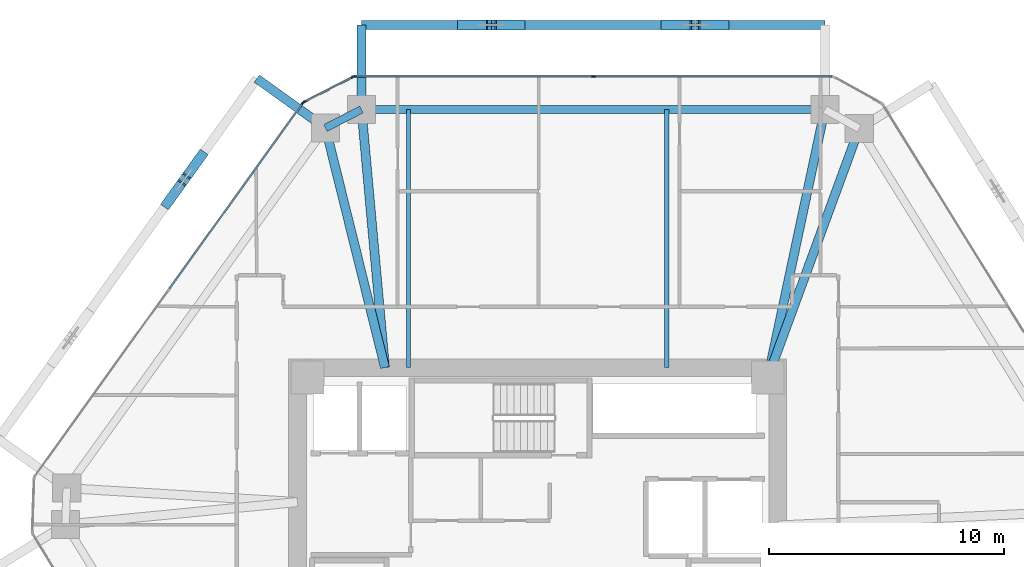
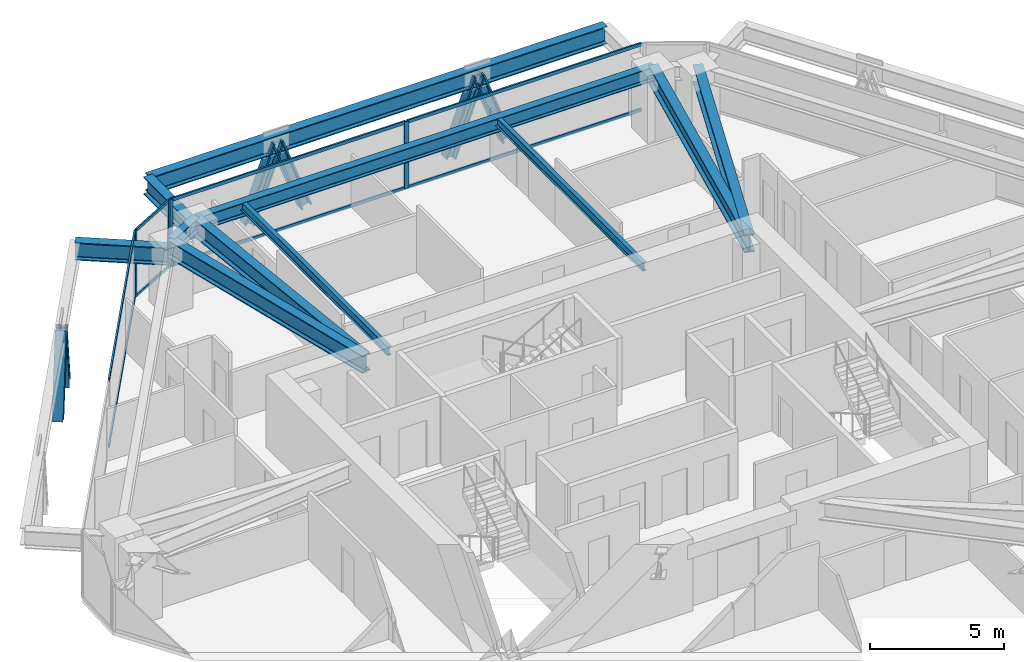
# One storey, part 7 of 16: 19 members, 11 beams, 3 elements without a shape of their own.
"""IFC4 building model written with IfcOpenShell, lengths in metres."""

from ifc_helpers import new_model, si_unit, direction, frame, origin, origin_2d, place, context, subcontext, project, spatial, rectangle, i_section, extrude, source, transform, mapped, material, layer, layer_set, material_profile, profile_set, type_object, type_shapes, element, aggregate, save


model = new_model("IFC4")

# Units and contexts
model_context = context("Model", 3, precision=1e-05, world=origin(), true_north=direction((0.0, 1.0)))
body_context = subcontext(model_context, "Body", "Model", "MODEL_VIEW")
ifc_project = project(units=[si_unit("LENGTHUNIT", "METRE"), si_unit("AREAUNIT", "SQUARE_METRE"), si_unit("VOLUMEUNIT", "CUBIC_METRE"), si_unit("PLANEANGLEUNIT", "RADIAN"), si_unit("MASSUNIT", "GRAM", prefix="KILO")], contexts=[model_context])

# Site, building, storey
site_placement = place(None, origin())
site = spatial("IfcSite", under=ifc_project, at=site_placement, CompositionType="ELEMENT")
building_placement = place(site_placement, origin())
building = spatial("IfcBuilding", under=site, at=building_placement, Name="Durnholm Broadcast Tower", CompositionType="ELEMENT")
storey_placement = place(building_placement, frame((0.0, 0.0, 117.300048828125)))
storey = spatial("IfcBuildingStorey", under=building, at=storey_placement, Name="L31", CompositionType="ELEMENT", Elevation=117.300048828125)

# Beams
ifc_material_1 = material(Name="Steel ASTM A992 Grade 50", Category="steel")
ifc_material_profile_1 = material_profile(ifc_material_1, i_section(OverallWidth=0.385009765625, OverallDepth=0.802978515625, WebThickness=0.023681640625, FlangeThickness=0.0419921875, FilletRadius=0.032958984375, at=origin_2d()), Name="W30X261")
ifc_profile_set_1 = profile_set([ifc_material_profile_1], Name="Steel ASTM A992 Grade 50")
beam_type_1 = type_object("IfcBeamType", Name="BM-EXO-TIE", PredefinedType="USERDEFINED", material=ifc_profile_set_1)
shared_shape_1 = source(origin(), body_context, "Body", "SweptSolid", [
    extrude(i_section(OverallWidth=0.385009765625, OverallDepth=0.802978515625, WebThickness=0.023681640625, FlangeThickness=0.0419921875, FilletRadius=0.032958984375, at=origin_2d()), origin(), (0.0, 0.0, 1.0), 3.4560546875),
])
beam_1_placement = place(storey_placement, frame((-7.498046875, 19.35888671875, 2.30859375), z_axis=(0.0, 1.0, 0.0), x_axis=(-1.0, 0.0, 0.0)))
element("IfcBeam", 1, at=beam_1_placement, inside=storey, type_object=beam_type_1, Name="L31 exoskeleton stand-off tie bracket F4.2", ObjectType="GIRDER", PredefinedType="USERDEFINED", context=body_context, shape_type="MappedRepresentation", body=[
    mapped(shared_shape_1, transform((0.0, 0.0, 0.0), x_axis=(1.0, 0.0, 0.0), y_axis=(0.0, 1.0, 0.0), z_axis=(0.0, 0.0, 1.0), scale=1.0)),
])
ifc_material_profile_2 = material_profile(ifc_material_1, i_section(OverallWidth=0.3291015625, OverallDepth=0.635009765625, WebThickness=0.017822265625, FlangeThickness=0.031005859375, FilletRadius=0.02783203125, at=origin_2d()), Name="W24X162")
ifc_profile_set_2 = profile_set([ifc_material_profile_2], Name="Steel ASTM A992 Grade 50")
beam_type_2 = type_object("IfcBeamType", Name="STL-SP-W24X162", PredefinedType="SPANDREL", material=ifc_profile_set_2)
shared_shape_2 = source(origin(), body_context, "Body", "SweptSolid", [
    extrude(i_section(OverallWidth=0.3291015625, OverallDepth=0.635009765625, WebThickness=0.017822265625, FlangeThickness=0.031005859375, FilletRadius=0.02783203125, at=origin_2d()), origin(), (0.0, 0.0, 1.0), 1.723876953125),
])
beam_2_placement = place(storey_placement, frame((-9.031982421875, 18.42822265625, 2.7275390625), z_axis=(0.889762904339, 0.456423020959, 0.0), x_axis=(-0.456423020959, 0.889762904339, 0.0)))
element("IfcBeam", 2, at=beam_2_placement, inside=storey, type_object=beam_type_2, Name="L31 perimeter spandrel girder 04", PredefinedType="SPANDREL", context=body_context, shape_type="MappedRepresentation", body=[
    mapped(shared_shape_2, transform((0.0, 0.0, 0.0), x_axis=(1.0, 0.0, 0.0), y_axis=(0.0, 1.0, 0.0), z_axis=(0.0, 0.0, 1.0), scale=1.0)),
])
shared_shape_3 = source(origin(), body_context, "Body", "SweptSolid", [
    extrude(i_section(OverallWidth=0.3291015625, OverallDepth=0.635009765625, WebThickness=0.017822265625, FlangeThickness=0.031005859375, FilletRadius=0.02783203125, at=origin_2d()), origin(), (0.0, 0.0, 1.0), 19.72802734375),
])
type_shapes(beam_type_2, [shared_shape_2, shared_shape_3])
beam_3_placement = place(storey_placement, frame((-7.498046875, 19.215087890625, 2.7275390625), z_axis=(1.0, 0.0, 0.0), x_axis=(0.0, 1.0, 0.0)))
element("IfcBeam", 3, at=beam_3_placement, inside=storey, type_object=beam_type_2, Name="L31 perimeter spandrel girder 05", PredefinedType="SPANDREL", context=body_context, shape_type="MappedRepresentation", body=[
    mapped(shared_shape_3, transform((0.0, 0.0, 0.0), x_axis=(1.0, 0.0, 0.0), y_axis=(0.0, 1.0, 0.0), z_axis=(0.0, 0.0, 1.0), scale=1.0)),
])
ifc_material_profile_3 = material_profile(ifc_material_1, i_section(OverallWidth=0.385009765625, OverallDepth=0.802978515625, WebThickness=0.023681640625, FlangeThickness=0.0419921875, FilletRadius=0.032958984375, at=origin_2d()), Name="W30X261")
ifc_profile_set_3 = profile_set([ifc_material_profile_3], Name="Steel ASTM A992 Grade 50")
beam_type_3 = type_object("IfcBeamType", Name="STL-GR-W30X261", PredefinedType="USERDEFINED", material=ifc_profile_set_3)
shared_shape_4 = source(origin(), body_context, "Body", "SweptSolid", [
    extrude(i_section(OverallWidth=0.385009765625, OverallDepth=0.802978515625, WebThickness=0.023681640625, FlangeThickness=0.0419921875, FilletRadius=0.032958984375, at=origin_2d()), origin(), (0.0, 0.0, 1.0), 10.5126953125),
])
beam_4_placement = place(storey_placement, frame((-6.5, 8.22509765625, 2.6435546875), z_axis=(-0.240852230194, 0.970561797729, 0.0), x_axis=(-0.970561797729, -0.240852230194, 0.0)))
element("IfcBeam", 4, at=beam_4_placement, inside=storey, type_object=beam_type_3, Name="L31 radial primary floor girder 04", ObjectType="GIRDER", PredefinedType="USERDEFINED", context=body_context, shape_type="MappedRepresentation", body=[
    mapped(shared_shape_4, transform((0.0, 0.0, 0.0), x_axis=(1.0, 0.0, 0.0), y_axis=(0.0, 1.0, 0.0), z_axis=(0.0, 0.0, 1.0), scale=1.0)),
])
shared_shape_5 = source(origin(), body_context, "Body", "SweptSolid", [
    extrude(i_section(OverallWidth=0.385009765625, OverallDepth=0.802978515625, WebThickness=0.023681640625, FlangeThickness=0.0419921875, FilletRadius=0.032958984375, at=origin_2d()), origin(), (0.0, 0.0, 1.0), 11.03515625),
])
beam_5_placement = place(storey_placement, frame((-6.5, 8.22509765625, 2.6435546875), z_axis=(-0.090441991612, 0.995901725148, 0.0), x_axis=(-0.995901725148, -0.090441991612, 0.0)))
element("IfcBeam", 5, at=beam_5_placement, inside=storey, type_object=beam_type_3, Name="L31 radial primary floor girder 05", ObjectType="GIRDER", PredefinedType="USERDEFINED", context=body_context, shape_type="MappedRepresentation", body=[
    mapped(shared_shape_5, transform((0.0, 0.0, 0.0), x_axis=(1.0, 0.0, 0.0), y_axis=(0.0, 1.0, 0.0), z_axis=(0.0, 0.0, 1.0), scale=1.0)),
])
shared_shape_6 = source(origin(), body_context, "Body", "SweptSolid", [
    extrude(i_section(OverallWidth=0.385009765625, OverallDepth=0.802978515625, WebThickness=0.023681640625, FlangeThickness=0.0419921875, FilletRadius=0.032958984375, at=origin_2d()), origin(), (0.0, 0.0, 1.0), 11.6708984375),
])
beam_6_placement = place(storey_placement, frame((9.800048828125, 7.800048828125, 2.6435546875), z_axis=(0.208206004915, 0.97808499606, 0.0), x_axis=(-0.97808499606, 0.208206004915, 0.0)))
element("IfcBeam", 6, at=beam_6_placement, inside=storey, type_object=beam_type_3, Name="L31 radial primary floor girder 06", ObjectType="GIRDER", PredefinedType="USERDEFINED", context=body_context, shape_type="MappedRepresentation", body=[
    mapped(shared_shape_6, transform((0.0, 0.0, 0.0), x_axis=(1.0, 0.0, 0.0), y_axis=(0.0, 1.0, 0.0), z_axis=(0.0, 0.0, 1.0), scale=1.0)),
])
shared_shape_7 = source(origin(), body_context, "Body", "SweptSolid", [
    extrude(i_section(OverallWidth=0.385009765625, OverallDepth=0.802978515625, WebThickness=0.023681640625, FlangeThickness=0.0419921875, FilletRadius=0.032958984375, at=origin_2d()), origin(), (0.0, 0.0, 1.0), 11.293212890625),
])
type_shapes(beam_type_3, [shared_shape_4, shared_shape_5, shared_shape_6, shared_shape_7])
beam_7_placement = place(storey_placement, frame((9.800048828125, 7.800048828125, 2.6435546875), z_axis=(0.344640193759, 0.938734859716, 0.0), x_axis=(-0.938734859716, 0.344640193759, 0.0)))
element("IfcBeam", 7, at=beam_7_placement, inside=storey, type_object=beam_type_3, Name="L31 radial primary floor girder 07", ObjectType="GIRDER", PredefinedType="USERDEFINED", context=body_context, shape_type="MappedRepresentation", body=[
    mapped(shared_shape_7, transform((0.0, 0.0, 0.0), x_axis=(1.0, 0.0, 0.0), y_axis=(0.0, 1.0, 0.0), z_axis=(0.0, 0.0, 1.0), scale=1.0)),
])
ifc_material_profile_4 = material_profile(ifc_material_1, i_section(OverallWidth=0.177734375, OverallDepth=0.40673828125, WebThickness=0.0078125, FlangeThickness=0.0126953125, FilletRadius=0.01904296875, at=origin_2d()), Name="W16X40")
ifc_profile_set_4 = profile_set([ifc_material_profile_4], Name="Steel ASTM A992 Grade 50")
beam_type_4 = type_object("IfcBeamType", Name="STL-BJ-W16X40", PredefinedType="JOIST", material=ifc_profile_set_4)
shared_shape_8 = source(origin(), body_context, "Body", "SweptSolid", [
    extrude(i_section(OverallWidth=0.177734375, OverallDepth=0.40673828125, WebThickness=0.0078125, FlangeThickness=0.0126953125, FilletRadius=0.01904296875, at=origin_2d()), origin(), (0.0, 0.0, 1.0), 10.989990234375),
])
type_shapes(beam_type_4, [shared_shape_8])
for number, where, z_axis, x_axis, name in (
    (8, (-5.5, 8.22509765625, 2.841552734375), (0.0, 1.0, 0.0), (-1.0, 0.0, 0.0), "L31 secondary floor joist 3.2"),
    (9, (5.5, 8.22509765625, 2.841552734375), (0.0, 1.0, 0.0), (-1.0, 0.0, 0.0), "L31 secondary floor joist 4.2"),
):
    element("IfcBeam", number, at=place(storey_placement, frame(where, z_axis=z_axis, x_axis=x_axis)), inside=storey, type_object=beam_type_4, Name=name, PredefinedType="JOIST", context=body_context, shape_type="MappedRepresentation", body=[
        mapped(shared_shape_8, transform((0.0, 0.0, 0.0), x_axis=(1.0, 0.0, 0.0), y_axis=(0.0, 1.0, 0.0), z_axis=(0.0, 0.0, 1.0), scale=1.0)),
    ])
shared_shape_9 = source(origin(), body_context, "Body", "SweptSolid", [
    extrude(i_section(OverallWidth=0.385009765625, OverallDepth=0.802978515625, WebThickness=0.023681640625, FlangeThickness=0.0419921875, FilletRadius=0.032958984375, at=origin_2d()), origin(), (0.0, 0.0, 1.0), 19.72802734375),
])
beam_8_placement = place(storey_placement, frame((12.22998046875, 22.81494140625, 2.30859375), z_axis=(-1.0, 0.0, 0.0), x_axis=(0.0, -1.0, 0.0)))
element("IfcBeam", 10, at=beam_8_placement, inside=storey, type_object=beam_type_1, Name="L31 exoskeleton collector spandrel F4", PredefinedType="SPANDREL", context=body_context, shape_type="MappedRepresentation", body=[
    mapped(shared_shape_9, transform((0.0, 0.0, 0.0), x_axis=(1.0, 0.0, 0.0), y_axis=(0.0, 1.0, 0.0), z_axis=(0.0, 0.0, 1.0), scale=1.0)),
])
shared_shape_10 = source(origin(), body_context, "Body", "SweptSolid", [
    extrude(i_section(OverallWidth=0.385009765625, OverallDepth=0.802978515625, WebThickness=0.023681640625, FlangeThickness=0.0419921875, FilletRadius=0.032958984375, at=origin_2d()), origin(), (0.0, 0.0, 1.0), 3.456298828125),
])
type_shapes(beam_type_1, [shared_shape_1, shared_shape_9, shared_shape_10])
beam_9_placement = place(storey_placement, frame((-9.14892578125, 18.51220703125, 2.30859375), z_axis=(-0.812131479052, 0.583474473077, 0.0), x_axis=(-0.583474473077, -0.812131479052, 0.0)))
element("IfcBeam", 11, at=beam_9_placement, inside=storey, type_object=beam_type_1, Name="L31 exoskeleton stand-off tie bracket F5.1", ObjectType="GIRDER", PredefinedType="USERDEFINED", context=body_context, shape_type="MappedRepresentation", body=[
    mapped(shared_shape_10, transform((0.0, 0.0, 0.0), x_axis=(1.0, 0.0, 0.0), y_axis=(0.0, 1.0, 0.0), z_axis=(0.0, 0.0, 1.0), scale=1.0)),
])

# Members
ifc_material_2 = material(Name="Steel ASTM A913 Grade 65", Category="steel")
ifc_material_profile_5 = material_profile(ifc_material_2, i_section(OverallWidth=0.41845703125, OverallDepth=0.455078125, WebThickness=0.0419921875, FlangeThickness=0.067626953125, FilletRadius=0.030517578125, at=origin_2d()), Name="W14X370")
ifc_profile_set_5 = profile_set([ifc_material_profile_5], Name="Steel ASTM A913 Grade 65")
member_type_1 = type_object("IfcMemberType", Name="STL-DG-W14X370", PredefinedType="BRACE", material=ifc_profile_set_5)
shared_shape_11 = source(origin(), body_context, "Body", "SweptSolid", [
    extrude(i_section(OverallWidth=0.41845703125, OverallDepth=0.455078125, WebThickness=0.0419921875, FlangeThickness=0.067626953125, FilletRadius=0.030517578125, at=origin_2d()), origin(), (0.0, 0.0, 1.0), 3.523193359375),
])
type_shapes(member_type_1, [shared_shape_11])
for number, where, z_axis, x_axis, name in (
    (12, (7.93994140625, 22.81494140625, -0.991455078125), (-0.350219588454, 0.0, 0.936667625075), (0.0, -1.0, 0.0), "L31 stand-off diagrid brace F4.D1.1"),
    (13, (5.472412109375, 22.81494140625, -0.991455078125), (0.350158790071, 0.0, 0.936690355313), (0.0, 1.0, 0.0), "L31 stand-off diagrid brace F4.D1.2"),
    (14, (-0.740478515625, 22.81494140625, -0.991455078125), (-0.350219588454, 0.0, 0.936667625075), (0.0, -1.0, 0.0), "L31 stand-off diagrid brace F4.D2.1"),
    (15, (-3.2080078125, 22.81494140625, -0.991455078125), (0.350158790071, 0.0, 0.936690355313), (0.0, 1.0, 0.0), "L31 stand-off diagrid brace F4.D2.2"),
    (16, (-14.321044921875, 17.236328125, -0.991455078125), (-0.204287819296, -0.284395254542, 0.936688756248), (0.812179469647, -0.583407669717, 0.0), "L31 stand-off diagrid brace F5.D1.1"),
    (17, (-15.7607421875, 15.232421875, -0.991455078125), (0.204354222964, 0.284391227889, 0.936675493998), (-0.812085698931, 0.583538188632, 0.0), "L31 stand-off diagrid brace F5.D1.2"),
):
    element("IfcMember", number, at=place(storey_placement, frame(where, z_axis=z_axis, x_axis=x_axis)), inside=storey, type_object=member_type_1, Name=name, PredefinedType="BRACE", context=body_context, shape_type="MappedRepresentation", body=[
        mapped(shared_shape_11, transform((0.0, 0.0, 0.0), x_axis=(1.0, 0.0, 0.0), y_axis=(0.0, 1.0, 0.0), z_axis=(0.0, 0.0, 1.0), scale=1.0)),
    ])

# Curtain wall, members
ifc_material_3 = material(Name="Aluminium and Solar Control IGU", Category="aluminium")
ifc_layer_1 = layer(ifc_material_3, 0.1650390625)
ifc_layer_set_1 = layer_set([ifc_layer_1], Name="Aluminium and Solar Control IGU")
curtain_wall_type_1 = type_object("IfcCurtainWallType", Name="CW-SYS-5", PredefinedType="NOTDEFINED", material=ifc_layer_set_1)
curtain_wall_1_placement = place(storey_placement, origin())
curtain_wall_1 = element("IfcCurtainWall", 18, at=curtain_wall_1_placement, inside=storey, type_object=curtain_wall_type_1, Name="L31 curtain wall CW-CORNER CW-L31-CRN-03", PredefinedType="NOTDEFINED")
ifc_material_4 = material(Name="Aluminium 6063-T6", Category="aluminium")
ifc_material_profile_6 = material_profile(ifc_material_4, rectangle(XDim=0.06494140625, YDim=0.1650390625, at=origin_2d()), Name="CWM65X165")
ifc_profile_set_6 = profile_set([ifc_material_profile_6], Name="Aluminium 6063-T6")
member_type_2 = type_object("IfcMemberType", Name="CW-SYS-5-MUL", PredefinedType="MULLION", material=ifc_profile_set_6)
shared_shape_12 = source(origin(), body_context, "Body", "SweptSolid", [
    extrude(rectangle(XDim=0.06494140625, YDim=0.1650390625, at=origin_2d()), origin(), (0.0, 0.0, 1.0), 3.06005859375),
])
type_shapes(member_type_2, [shared_shape_12])
member_1_placement = place(storey_placement, frame((-9.94287109375, 19.534423828125, 0.0), z_axis=(0.0, 0.0, 1.0), x_axis=(-0.45637332267, 0.889788396392, 0.0)))
member_1 = element("IfcMember", 19, at=member_1_placement, type_object=member_type_2, Name="CW-CORNER mullion 1", PredefinedType="MULLION", context=body_context, shape_type="MappedRepresentation", body=[
    mapped(shared_shape_12, transform((0.0, 0.0, 0.0), x_axis=(1.0, 0.0, 0.0), y_axis=(0.0, 1.0, 0.0), z_axis=(0.0, 0.0, 1.0), scale=1.0)),
])
member_2_placement = place(storey_placement, frame((-7.865234375, 20.60009765625, 0.0), z_axis=(0.0, 0.0, 1.0), x_axis=(-0.45637332267, 0.889788396392, 0.0)))
member_2 = element("IfcMember", 20, at=member_2_placement, type_object=member_type_2, Name="CW-CORNER mullion 2", PredefinedType="MULLION", context=body_context, shape_type="MappedRepresentation", body=[
    mapped(shared_shape_12, transform((0.0, 0.0, 0.0), x_axis=(1.0, 0.0, 0.0), y_axis=(0.0, 1.0, 0.0), z_axis=(0.0, 0.0, 1.0), scale=1.0)),
])

# Curtain wall, member
ifc_layer_2 = layer(ifc_material_3, 0.18994140625)
ifc_layer_set_2 = layer_set([ifc_layer_2], Name="Aluminium and Solar Control IGU")
curtain_wall_type_2 = type_object("IfcCurtainWallType", Name="CW-SYS-3", PredefinedType="NOTDEFINED", material=ifc_layer_set_2)
curtain_wall_2_placement = place(storey_placement, origin())
curtain_wall_2 = element("IfcCurtainWall", 21, at=curtain_wall_2_placement, inside=storey, type_object=curtain_wall_type_2, Name="L31 curtain wall CW-Z12-VIS CW-L31-F02", PredefinedType="NOTDEFINED")
ifc_material_profile_7 = material_profile(ifc_material_4, rectangle(XDim=0.070068359375, YDim=0.18994140625, at=origin_2d()), Name="CWM70X190")
ifc_profile_set_7 = profile_set([ifc_material_profile_7], Name="Aluminium 6063-T6")
member_type_3 = type_object("IfcMemberType", Name="CW-SYS-3-MUL", PredefinedType="MULLION", material=ifc_profile_set_7)
shared_shape_13 = source(origin(), body_context, "Body", "SweptSolid", [
    extrude(rectangle(XDim=0.070068359375, YDim=0.18994140625, at=origin_2d()), origin(), (0.0, 0.0, 1.0), 3.06005859375),
])
type_shapes(member_type_3, [shared_shape_13])
member_3_placement = place(storey_placement, frame((-9.9921875, 19.4912109375, 0.0), z_axis=(0.0, 0.0, 1.0), x_axis=(-0.812152312759, 0.583445473786, 0.0)))
member_3 = element("IfcMember", 22, at=member_3_placement, type_object=member_type_3, Name="CW-Z12-VIS mullion 3", PredefinedType="MULLION", context=body_context, shape_type="MappedRepresentation", body=[
    mapped(shared_shape_13, transform((0.0, 0.0, 0.0), x_axis=(1.0, 0.0, 0.0), y_axis=(0.0, 1.0, 0.0), z_axis=(0.0, 0.0, 1.0), scale=1.0)),
])

# Curtain wall, members
curtain_wall_3_placement = place(storey_placement, origin())
curtain_wall_3 = element("IfcCurtainWall", 23, at=curtain_wall_3_placement, inside=storey, type_object=curtain_wall_type_2, Name="L31 curtain wall CW-Z12-VIS CW-L31-F04", PredefinedType="NOTDEFINED")
member_4_placement = place(storey_placement, frame((-7.80126953125, 20.614990234375, 0.0), z_axis=(0.0, 0.0, 1.0), x_axis=(0.0, 1.0, 0.0)))
member_4 = element("IfcMember", 24, at=member_4_placement, type_object=member_type_3, Name="CW-Z12-VIS mullion 1", PredefinedType="MULLION", context=body_context, shape_type="MappedRepresentation", body=[
    mapped(shared_shape_13, transform((0.0, 0.0, 0.0), x_axis=(1.0, 0.0, 0.0), y_axis=(0.0, 1.0, 0.0), z_axis=(0.0, 0.0, 1.0), scale=1.0)),
])
member_5_placement = place(storey_placement, frame((2.37841796875, 20.614990234375, 0.0), z_axis=(0.0, 0.0, 1.0), x_axis=(0.0, 1.0, 0.0)))
member_5 = element("IfcMember", 25, at=member_5_placement, type_object=member_type_3, Name="CW-Z12-VIS mullion 2", PredefinedType="MULLION", context=body_context, shape_type="MappedRepresentation", body=[
    mapped(shared_shape_13, transform((0.0, 0.0, 0.0), x_axis=(1.0, 0.0, 0.0), y_axis=(0.0, 1.0, 0.0), z_axis=(0.0, 0.0, 1.0), scale=1.0)),
])

# Member
ifc_material_profile_8 = material_profile(ifc_material_4, rectangle(XDim=0.06494140625, YDim=0.1298828125, at=origin_2d()), Name="CWT65X130")
ifc_profile_set_8 = profile_set([ifc_material_profile_8], Name="Aluminium 6063-T6")
member_type_4 = type_object("IfcMemberType", Name="CW-SYS-5-TRN", PredefinedType="USERDEFINED", material=ifc_profile_set_8)
shared_shape_14 = source(origin(), body_context, "Body", "SweptSolid", [
    extrude(rectangle(XDim=0.06494140625, YDim=0.1298828125, at=origin_2d()), origin(), (0.0, 0.0, 1.0), 2.27001953125),
])
type_shapes(member_type_4, [shared_shape_14])
member_6_placement = place(storey_placement, frame((-9.913818359375, 19.54931640625, 0.032470703125), z_axis=(0.889754750021, 0.456438916849, 0.0), x_axis=(-0.456438916849, 0.889754750021, 0.0)))
member_6 = element("IfcMember", 26, at=member_6_placement, type_object=member_type_4, Name="CW-CORNER transom 1.1", ObjectType="TRANSOM", PredefinedType="USERDEFINED", context=body_context, shape_type="MappedRepresentation", body=[
    mapped(shared_shape_14, transform((0.0, 0.0, 0.0), x_axis=(1.0, 0.0, 0.0), y_axis=(0.0, 1.0, 0.0), z_axis=(0.0, 0.0, 1.0), scale=1.0)),
])

member_7_placement = place(storey_placement, frame((-9.913818359375, 19.54931640625, 3.02734375), z_axis=(0.889754750021, 0.456438916849, 0.0), x_axis=(-0.456438916849, 0.889754750021, 0.0)))
member_7 = element("IfcMember", 27, at=member_7_placement, type_object=member_type_4, Name="CW-CORNER transom 1.2", ObjectType="TRANSOM", PredefinedType="USERDEFINED", context=body_context, shape_type="MappedRepresentation", body=[
    mapped(shared_shape_14, transform((0.0, 0.0, 0.0), x_axis=(1.0, 0.0, 0.0), y_axis=(0.0, 1.0, 0.0), z_axis=(0.0, 0.0, 1.0), scale=1.0)),
])

aggregate(curtain_wall_1, [member_1, member_2, member_6, member_7])

ifc_material_profile_9 = material_profile(ifc_material_4, rectangle(XDim=0.070068359375, YDim=0.14990234375, at=origin_2d()), Name="CWT70X150")
ifc_profile_set_9 = profile_set([ifc_material_profile_9], Name="Aluminium 6063-T6")
member_type_5 = type_object("IfcMemberType", Name="CW-SYS-3-TRN", PredefinedType="USERDEFINED", material=ifc_profile_set_9)
shared_shape_15 = source(origin(), body_context, "Body", "SweptSolid", [
    extrude(rectangle(XDim=0.070068359375, YDim=0.14990234375, at=origin_2d()), origin(), (0.0, 0.0, 1.0), 9.71875),
])
member_8_placement = place(storey_placement, frame((-15.682861328125, 11.56982421875, 0.034912109375), z_axis=(0.583450726174, 0.812148539448, 0.0), x_axis=(-0.812148539448, 0.583450726174, 0.0)))
member_8 = element("IfcMember", 28, at=member_8_placement, type_object=member_type_5, Name="CW-Z12-VIS transom 2.1", ObjectType="TRANSOM", PredefinedType="USERDEFINED", context=body_context, shape_type="MappedRepresentation", body=[
    mapped(shared_shape_15, transform((0.0, 0.0, 0.0), x_axis=(1.0, 0.0, 0.0), y_axis=(0.0, 1.0, 0.0), z_axis=(0.0, 0.0, 1.0), scale=1.0)),
])

member_9_placement = place(storey_placement, frame((-15.682861328125, 11.56982421875, 3.02490234375), z_axis=(0.583450726174, 0.812148539448, 0.0), x_axis=(-0.812148539448, 0.583450726174, 0.0)))
member_9 = element("IfcMember", 29, at=member_9_placement, type_object=member_type_5, Name="CW-Z12-VIS transom 2.2", ObjectType="TRANSOM", PredefinedType="USERDEFINED", context=body_context, shape_type="MappedRepresentation", body=[
    mapped(shared_shape_15, transform((0.0, 0.0, 0.0), x_axis=(1.0, 0.0, 0.0), y_axis=(0.0, 1.0, 0.0), z_axis=(0.0, 0.0, 1.0), scale=1.0)),
])

aggregate(curtain_wall_2, [member_3, member_8, member_9])

shared_shape_16 = source(origin(), body_context, "Body", "SweptSolid", [
    extrude(rectangle(XDim=0.070068359375, YDim=0.14990234375, at=origin_2d()), origin(), (0.0, 0.0, 1.0), 10.109619140625),
])
type_shapes(member_type_5, [shared_shape_15, shared_shape_16])
member_10_placement = place(storey_placement, frame((-7.76611328125, 20.614990234375, 0.034912109375), z_axis=(1.0, 0.0, 0.0), x_axis=(0.0, 1.0, 0.0)))
member_10 = element("IfcMember", 30, at=member_10_placement, type_object=member_type_5, Name="CW-Z12-VIS transom 1.1", ObjectType="TRANSOM", PredefinedType="USERDEFINED", context=body_context, shape_type="MappedRepresentation", body=[
    mapped(shared_shape_16, transform((0.0, 0.0, 0.0), x_axis=(1.0, 0.0, 0.0), y_axis=(0.0, 1.0, 0.0), z_axis=(0.0, 0.0, 1.0), scale=1.0)),
])

member_11_placement = place(storey_placement, frame((-7.76611328125, 20.614990234375, 3.02490234375), z_axis=(1.0, 0.0, 0.0), x_axis=(0.0, 1.0, 0.0)))
member_11 = element("IfcMember", 31, at=member_11_placement, type_object=member_type_5, Name="CW-Z12-VIS transom 1.2", ObjectType="TRANSOM", PredefinedType="USERDEFINED", context=body_context, shape_type="MappedRepresentation", body=[
    mapped(shared_shape_16, transform((0.0, 0.0, 0.0), x_axis=(1.0, 0.0, 0.0), y_axis=(0.0, 1.0, 0.0), z_axis=(0.0, 0.0, 1.0), scale=1.0)),
])

member_12_placement = place(storey_placement, frame((2.41357421875, 20.614990234375, 0.034912109375), z_axis=(1.0, 0.0, 0.0), x_axis=(0.0, 1.0, 0.0)))
member_12 = element("IfcMember", 32, at=member_12_placement, type_object=member_type_5, Name="CW-Z12-VIS transom 2.1", ObjectType="TRANSOM", PredefinedType="USERDEFINED", context=body_context, shape_type="MappedRepresentation", body=[
    mapped(shared_shape_16, transform((0.0, 0.0, 0.0), x_axis=(1.0, 0.0, 0.0), y_axis=(0.0, 1.0, 0.0), z_axis=(0.0, 0.0, 1.0), scale=1.0)),
])

member_13_placement = place(storey_placement, frame((2.41357421875, 20.614990234375, 3.02490234375), z_axis=(1.0, 0.0, 0.0), x_axis=(0.0, 1.0, 0.0)))
member_13 = element("IfcMember", 33, at=member_13_placement, type_object=member_type_5, Name="CW-Z12-VIS transom 2.2", ObjectType="TRANSOM", PredefinedType="USERDEFINED", context=body_context, shape_type="MappedRepresentation", body=[
    mapped(shared_shape_16, transform((0.0, 0.0, 0.0), x_axis=(1.0, 0.0, 0.0), y_axis=(0.0, 1.0, 0.0), z_axis=(0.0, 0.0, 1.0), scale=1.0)),
])

aggregate(curtain_wall_3, [member_4, member_5, member_10, member_11, member_12, member_13])

save(model, "model.ifc")
